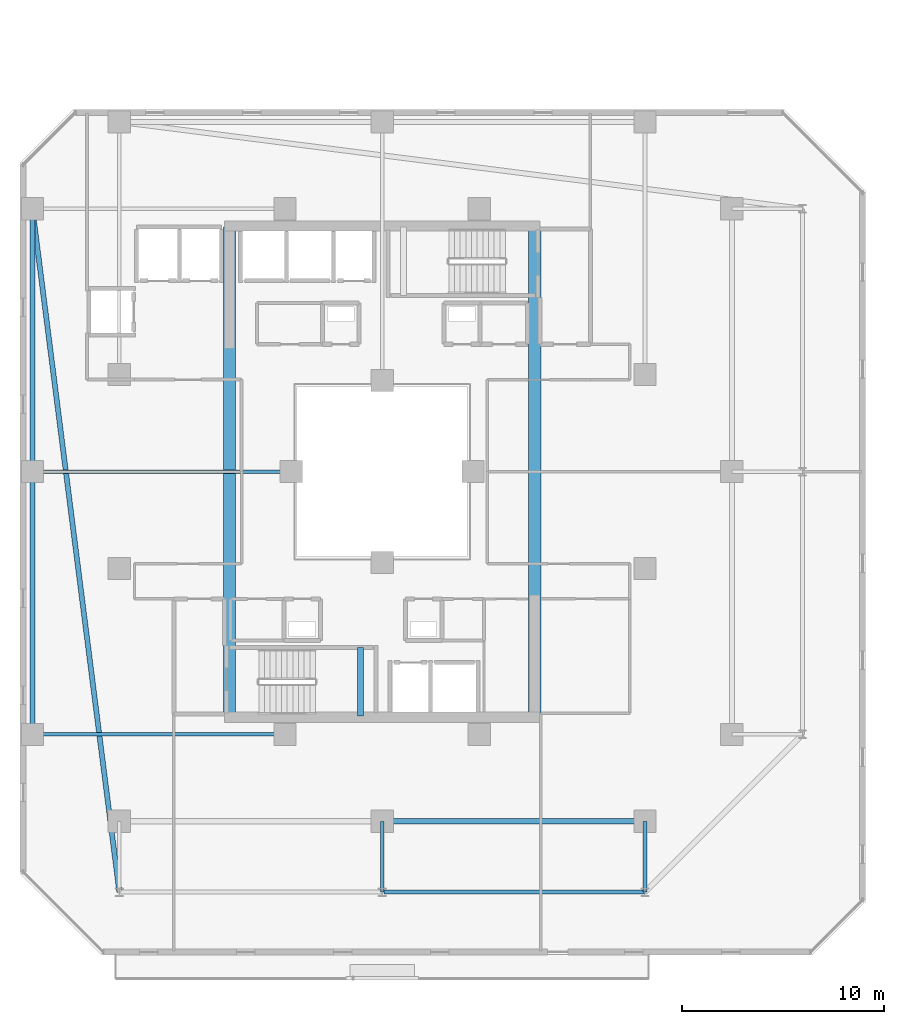
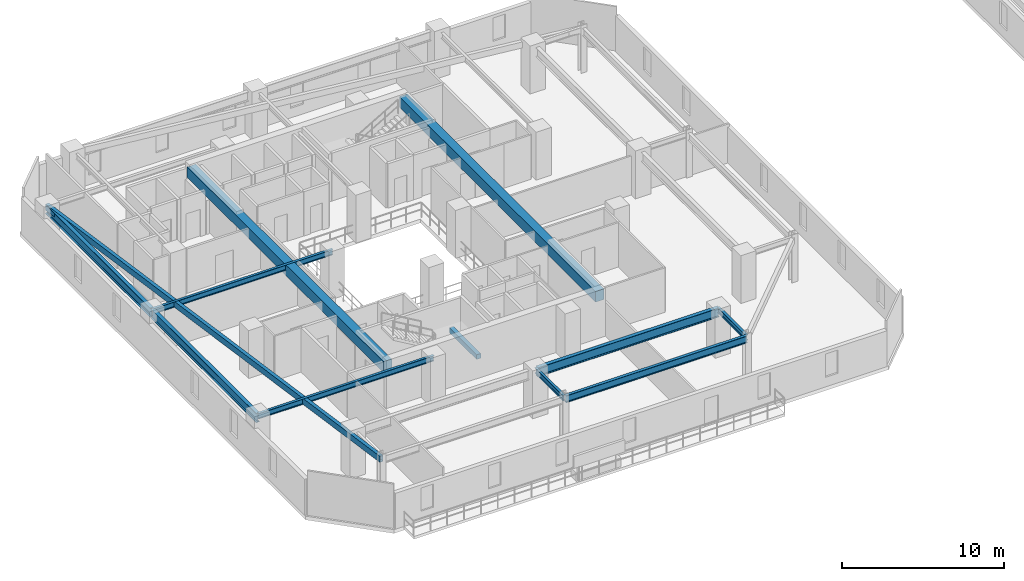
# One storey, part 4 of 32: 12 beams.
"""IFC4 building model written with IfcOpenShell, lengths in metres."""

from ifc_helpers import new_model, si_unit, direction, frame, origin, origin_2d, place, context, subcontext, project, spatial, rectangle, hollow_rectangle, i_section, extrude, material, material_profile, profile_set, type_object, element, save


model = new_model("IFC4")

# Units and contexts
model_context = context("Model", 3, precision=1e-05, world=origin(), true_north=direction((0.0, 1.0)))
body_context = subcontext(model_context, "Body", "Model", "MODEL_VIEW")
ifc_project = project(units=[si_unit("LENGTHUNIT", "METRE"), si_unit("AREAUNIT", "SQUARE_METRE"), si_unit("VOLUMEUNIT", "CUBIC_METRE"), si_unit("PLANEANGLEUNIT", "RADIAN"), si_unit("MASSUNIT", "GRAM", prefix="KILO")], contexts=[model_context])

# Site, building, storey
site_placement = place(None, origin())
site = spatial("IfcSite", under=ifc_project, at=site_placement, CompositionType="ELEMENT")
building_placement = place(site_placement, origin())
building = spatial("IfcBuilding", under=site, at=building_placement, Name="Thornwick Lancets Civic Towers", CompositionType="ELEMENT")
storey_placement = place(building_placement, frame((0.0, 0.0, 152.699951171875)))
storey = spatial("IfcBuildingStorey", under=building, at=storey_placement, Name="L40", CompositionType="ELEMENT", Elevation=152.699951171875)

# Beams
ifc_material_1 = material(Name="Concrete C60/75", Category="concrete")
ifc_material_profile_1 = material_profile(ifc_material_1, rectangle(XDim=0.60009765625, YDim=0.800048828125, at=origin_2d()), Name="RC 600x800")
ifc_profile_set_1 = profile_set([ifc_material_profile_1], Name="Concrete C60/75")
beam_type_1 = type_object("IfcBeamType", Name="BM_COUP_RC800", PredefinedType="BEAM", material=ifc_profile_set_1)
for number, where, z_axis, x_axis, name in (
    (1, (33.050048828125, 14.89990234375, 2.9599609375), (0.0, 1.0, 0.0), (-1.0, 0.0, 0.0), "CB-L40-A1"),
    (2, (17.949951171875, 14.89990234375, 2.9599609375), (0.0, 1.0, 0.0), (-1.0, 0.0, 0.0), "CB-L40-A2"),
):
    element("IfcBeam", number, at=place(storey_placement, frame(where, z_axis=z_axis, x_axis=x_axis)), inside=storey, type_object=beam_type_1, Name=name, PredefinedType="BEAM", context=body_context, shape_type="SweptSolid", body=[
        extrude(rectangle(XDim=0.60009765625, YDim=0.800048828125, at=origin_2d()), origin(), (0.0, 0.0, 1.0), 24.2001953125),
    ])
ifc_material_2 = material(Name="Steel S355JR", Category="steel")
ifc_material_profile_2 = material_profile(ifc_material_2, i_section(OverallWidth=0.210693359375, OverallDepth=0.53955078125, WebThickness=0.01171875, FlangeThickness=0.018798828125, FilletRadius=0.0126953125, at=origin_2d()), Name="UKB 533x210x109")
ifc_profile_set_2 = profile_set([ifc_material_profile_2], Name="Steel S355JR")
beam_type_2 = type_object("IfcBeamType", Name="BM_EDGE_533_109", PredefinedType="SPANDREL", material=ifc_profile_set_2)
beam_1_placement = place(storey_placement, frame((25.580078125, 6.199951171875, 3.09033203125), z_axis=(1.0, 0.0, 0.0), x_axis=(0.0, 1.0, 0.0)))
element("IfcBeam", 3, at=beam_1_placement, inside=storey, type_object=beam_type_2, Name="BM-EDGE-L40-A-S0-2", PredefinedType="SPANDREL", context=body_context, shape_type="SweptSolid", body=[
    extrude(i_section(OverallWidth=0.210693359375, OverallDepth=0.53955078125, WebThickness=0.01171875, FlangeThickness=0.018798828125, FilletRadius=0.0126953125, at=origin_2d()), origin(), (0.0, 0.0, 1.0), 12.919921875),
])
ifc_material_profile_3 = material_profile(ifc_material_2, i_section(OverallWidth=0.255859375, OverallDepth=0.69287109375, WebThickness=0.014404296875, FlangeThickness=0.023681640625, FilletRadius=0.01513671875, at=origin_2d()), Name="UKB 686x254x170")
ifc_profile_set_3 = profile_set([ifc_material_profile_3], Name="Steel S355JR")
beam_type_3 = type_object("IfcBeamType", Name="BM_GIRD_686_170", PredefinedType="BEAM", material=ifc_profile_set_3)
beam_2_placement = place(storey_placement, frame((25.580078125, 9.699951171875, 3.013427734375), z_axis=(1.0, 0.0, 0.0), x_axis=(0.0, 1.0, 0.0)))
element("IfcBeam", 4, at=beam_2_placement, inside=storey, type_object=beam_type_3, Name="BM-SPINE-L40-A-1-2", PredefinedType="BEAM", context=body_context, shape_type="SweptSolid", body=[
    extrude(i_section(OverallWidth=0.255859375, OverallDepth=0.69287109375, WebThickness=0.014404296875, FlangeThickness=0.023681640625, FilletRadius=0.01513671875, at=origin_2d()), origin(), (0.0, 0.0, 1.0), 12.919921875),
])
beam_3_placement = place(storey_placement, frame((8.199951171875, 14.0, 3.013427734375), z_axis=(0.0, 1.0, 0.0), x_axis=(-1.0, 0.0, 0.0)))
element("IfcBeam", 5, at=beam_3_placement, inside=storey, type_object=beam_type_3, Name="BM-SPINE-L40-A-9-10", PredefinedType="BEAM", context=body_context, shape_type="SweptSolid", body=[
    extrude(i_section(OverallWidth=0.255859375, OverallDepth=0.69287109375, WebThickness=0.014404296875, FlangeThickness=0.023681640625, FilletRadius=0.01513671875, at=origin_2d()), origin(), (0.0, 0.0, 1.0), 13.0),
])
beam_4_placement = place(storey_placement, frame((8.199951171875, 27.080078125, 3.013427734375), z_axis=(0.0, 1.0, 0.0), x_axis=(-1.0, 0.0, 0.0)))
element("IfcBeam", 6, at=beam_4_placement, inside=storey, type_object=beam_type_3, Name="BM-SPINE-L40-A-10-11", PredefinedType="BEAM", context=body_context, shape_type="SweptSolid", body=[
    extrude(i_section(OverallWidth=0.255859375, OverallDepth=0.69287109375, WebThickness=0.014404296875, FlangeThickness=0.023681640625, FilletRadius=0.01513671875, at=origin_2d()), origin(), (0.0, 0.0, 1.0), 12.919921875),
])
ifc_material_profile_4 = material_profile(ifc_material_2, i_section(OverallWidth=0.179443359375, OverallDepth=0.412841796875, WebThickness=0.009521484375, FlangeThickness=0.01611328125, FilletRadius=0.01025390625, at=origin_2d()), Name="UKB 406x178x74")
ifc_profile_set_4 = profile_set([ifc_material_profile_4], Name="Steel S355JR")
beam_type_4 = type_object("IfcBeamType", Name="BM_JOIST_406_74", PredefinedType="JOIST", material=ifc_profile_set_4)
for number, where, z_axis, x_axis, name in (
    (7, (25.5, 9.699951171875, 3.153564453125), (0.0, -1.0, 0.0), (1.0, 0.0, 0.0), "BM-RAD-L40-A02"),
    (8, (38.5, 9.699951171875, 3.153564453125), (0.0, -1.0, 0.0), (1.0, 0.0, 0.0), "BM-RAD-L40-A03"),
):
    element("IfcBeam", number, at=place(storey_placement, frame(where, z_axis=z_axis, x_axis=x_axis)), inside=storey, type_object=beam_type_4, Name=name, PredefinedType="JOIST", context=body_context, shape_type="SweptSolid", body=[
        extrude(i_section(OverallWidth=0.179443359375, OverallDepth=0.412841796875, WebThickness=0.009521484375, FlangeThickness=0.01611328125, FilletRadius=0.01025390625, at=origin_2d()), origin(), (0.0, 0.0, 1.0), 3.5),
    ])
beam_5_placement = place(storey_placement, frame((20.699951171875, 14.0, 3.153564453125), z_axis=(-1.0, 0.0, 0.0), x_axis=(0.0, -1.0, 0.0)))
element("IfcBeam", 9, at=beam_5_placement, inside=storey, type_object=beam_type_4, Name="BM-RADIN-L40-A10", PredefinedType="JOIST", context=body_context, shape_type="SweptSolid", body=[
    extrude(i_section(OverallWidth=0.179443359375, OverallDepth=0.412841796875, WebThickness=0.009521484375, FlangeThickness=0.01611328125, FilletRadius=0.01025390625, at=origin_2d()), origin(), (0.0, 0.0, 1.0), 12.5),
])
beam_6_placement = place(storey_placement, frame((21.0, 27.0, 3.153564453125), z_axis=(-1.0, 0.0, 0.0), x_axis=(0.0, -1.0, 0.0)))
element("IfcBeam", 10, at=beam_6_placement, inside=storey, type_object=beam_type_4, Name="BM-RADIN-L40-A11", PredefinedType="JOIST", context=body_context, shape_type="SweptSolid", body=[
    extrude(i_section(OverallWidth=0.179443359375, OverallDepth=0.412841796875, WebThickness=0.009521484375, FlangeThickness=0.01611328125, FilletRadius=0.01025390625, at=origin_2d()), origin(), (0.0, 0.0, 1.0), 12.800048828125),
])
ifc_material_profile_5 = material_profile(ifc_material_2, hollow_rectangle(XDim=0.25, YDim=0.449951171875, WallThickness=0.01611328125, at=origin_2d()), Name="RHS 450x250x16")
ifc_profile_set_5 = profile_set([ifc_material_profile_5], Name="Steel S355JR")
beam_type_5 = type_object("IfcBeamType", Name="BM_RING_RHS450", PredefinedType="BEAM", material=ifc_profile_set_5)
beam_7_placement = place(storey_placement, frame((8.199951171875, 40.0, 3.135009765625), z_axis=(0.126202998662, -0.992004437051, 0.0), x_axis=(0.992004437051, 0.126202998662, 0.0)))
element("IfcBeam", 11, at=beam_7_placement, inside=storey, type_object=beam_type_5, Name="BM-CHAMF-L40-A-C3", PredefinedType="BEAM", context=body_context, shape_type="SweptSolid", body=[
    extrude(hollow_rectangle(XDim=0.25, YDim=0.449951171875, WallThickness=0.01611328125, at=origin_2d()), origin(), (0.0, 0.0, 1.0), 34.072509765625),
])
ifc_material_3 = material(Name="Concrete C40/50", Category="concrete")
ifc_material_profile_6 = material_profile(ifc_material_3, rectangle(XDim=0.300048828125, YDim=0.35009765625, at=origin_2d()), Name="RC 300x350")
ifc_profile_set_6 = profile_set([ifc_material_profile_6], Name="Concrete C40/50")
beam_type_6 = type_object("IfcBeamType", Name="BM_STAIR_LDG", PredefinedType="BEAM", material=ifc_profile_set_6)
beam_8_placement = place(storey_placement, frame((24.43505859375, 14.89990234375, 1.3779296875), z_axis=(0.0, 1.0, 0.0), x_axis=(-1.0, 0.0, 0.0)))
element("IfcBeam", 12, at=beam_8_placement, inside=storey, type_object=beam_type_6, Name="L40 ST-A1 Landing Support Beam 1", PredefinedType="BEAM", context=body_context, shape_type="SweptSolid", body=[
    extrude(rectangle(XDim=0.300048828125, YDim=0.35009765625, at=origin_2d()), origin(), (0.0, 0.0, 1.0), 3.400146484375),
])

save(model, "model.ifc")
